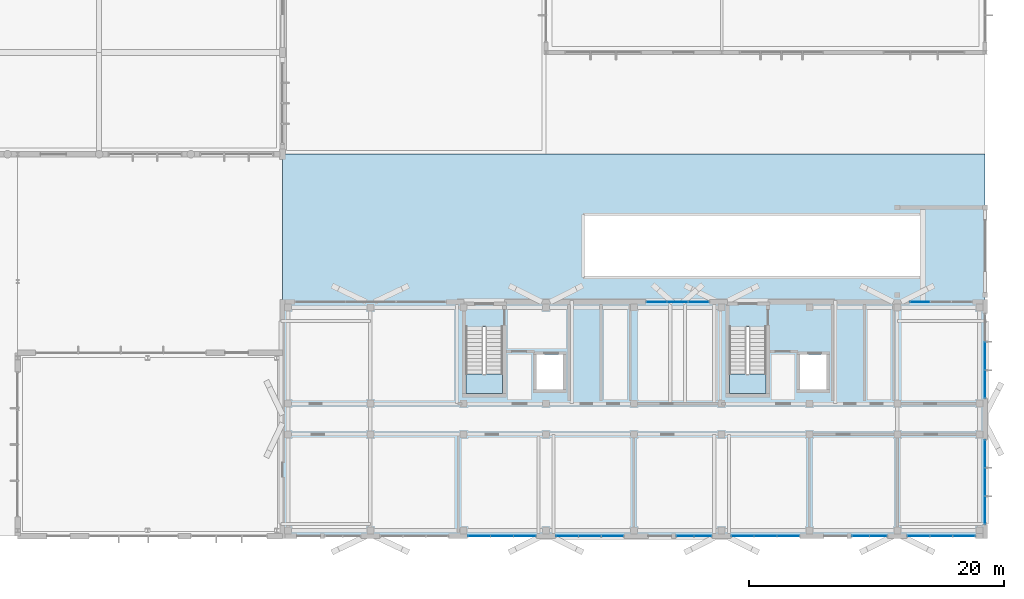
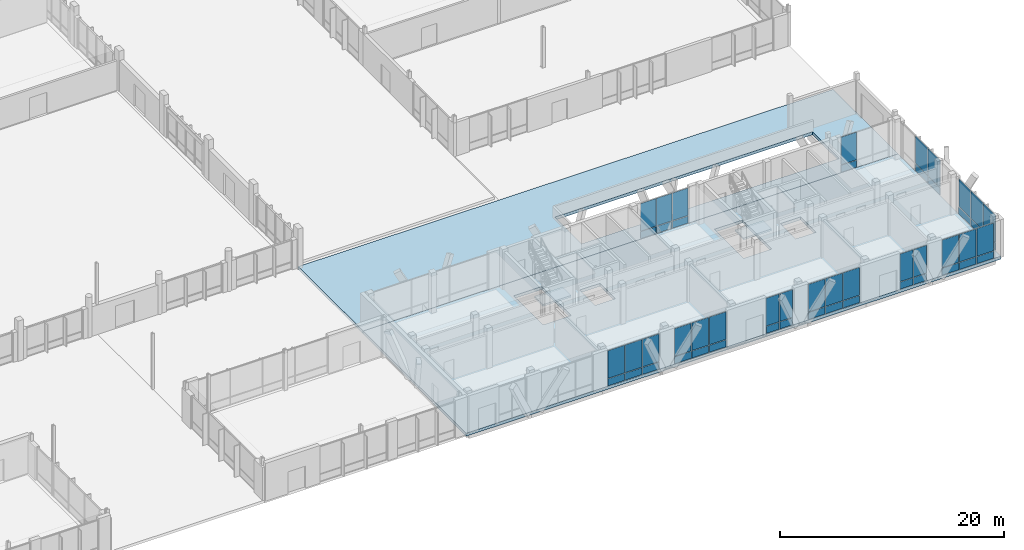
# One storey, part 186 of 233: 50 plates, 4 slabs, 12 elements without a shape of their own.
"""IFC4 building model written with IfcOpenShell, lengths in metres."""

from ifc_helpers import new_model, si_unit, direction, frame, origin, origin_2d, place, context, subcontext, project, spatial, polyline, rectangle, outline, extrude, material, layer, layer_set, type_object, element, aggregate, save


model = new_model("IFC4")

# Units and contexts
model_context = context("Model", 3, precision=1e-05, world=origin(), true_north=direction((0.0, 1.0)))
body_context = subcontext(model_context, "Body", "Model", "MODEL_VIEW")
ifc_project = project(units=[si_unit("LENGTHUNIT", "METRE"), si_unit("AREAUNIT", "SQUARE_METRE"), si_unit("VOLUMEUNIT", "CUBIC_METRE"), si_unit("PLANEANGLEUNIT", "RADIAN"), si_unit("MASSUNIT", "GRAM", prefix="KILO")], contexts=[model_context])

# Site, building, storey
site_placement = place(None, origin())
site = spatial("IfcSite", under=ifc_project, at=site_placement, CompositionType="ELEMENT")
building_placement = place(site_placement, origin())
building = spatial("IfcBuilding", under=site, at=building_placement, Name="Zavelmont Quarter", CompositionType="ELEMENT")
storey_placement = place(building_placement, origin())
storey = spatial("IfcBuildingStorey", under=building, at=storey_placement, Name="L00", CompositionType="ELEMENT", Elevation=0.0)

# Curtain wall, plates
ifc_material_1 = material(Name="Thermally broken aluminium and double low-E safety glazing", Category="aluminium")
curtain_wall_type_1 = type_object("IfcCurtainWallType", Name="CW-285X395", PredefinedType="NOTDEFINED", material=ifc_material_1)
curtain_wall_1_placement = place(storey_placement, origin())
curtain_wall_1 = element("IfcCurtainWall", 1, at=curtain_wall_1_placement, inside=storey, type_object=curtain_wall_type_1, Name="L00 unitised curtain wall CW-285X395", PredefinedType="NOTDEFINED")
ifc_material_2 = material(Name="Insulated anodised-aluminium spandrel panel", Category="aluminium")
ifc_layer_1 = layer(ifc_material_2, 0.0400390625)
ifc_layer_set_1 = layer_set([ifc_layer_1], Name="Insulated anodised-aluminium spandrel panel")
plate_type_1 = type_object("IfcPlateType", Name="CWP-SPD-1335X760", PredefinedType="CURTAIN_PANEL", material=ifc_layer_set_1)
plate_1_placement = place(storey_placement, frame((144.427490234375, 0.0, 0.06005859375), z_axis=(0.0, 0.0, 1.0), x_axis=(1.0, 0.0, 0.0)))
plate_1 = element("IfcPlate", 2, at=plate_1_placement, type_object=plate_type_1, Name="CW-285X395 panel 1.1", PredefinedType="CURTAIN_PANEL", context=body_context, shape_type="SweptSolid", body=[
    extrude(rectangle(XDim=1.3349609375, YDim=0.0400390625, at=origin_2d()), origin(), (0.0, 0.0, 1.0), 0.760009765625),
])
plate_2_placement = place(storey_placement, frame((145.822509765625, 0.0, 0.06005859375), z_axis=(0.0, 0.0, 1.0), x_axis=(1.0, 0.0, 0.0)))
plate_2 = element("IfcPlate", 3, at=plate_2_placement, type_object=plate_type_1, Name="CW-285X395 panel 2.1", PredefinedType="CURTAIN_PANEL", context=body_context, shape_type="SweptSolid", body=[
    extrude(rectangle(XDim=1.3349609375, YDim=0.0400390625, at=origin_2d()), origin(), (0.0, 0.0, 1.0), 0.760009765625),
])

curtain_wall_2_placement = place(storey_placement, origin())
curtain_wall_2 = element("IfcCurtainWall", 4, at=curtain_wall_2_placement, inside=storey, type_object=curtain_wall_type_1, Name="L00 unitised curtain wall CW-285X395", PredefinedType="NOTDEFINED")
plate_3_placement = place(storey_placement, frame((158.2275390625, 0.0, 0.06005859375), z_axis=(0.0, 0.0, 1.0), x_axis=(1.0, 0.0, 0.0)))
plate_3 = element("IfcPlate", 5, at=plate_3_placement, type_object=plate_type_1, Name="CW-285X395 panel 1.1", PredefinedType="CURTAIN_PANEL", context=body_context, shape_type="SweptSolid", body=[
    extrude(rectangle(XDim=1.3349609375, YDim=0.0400390625, at=origin_2d()), origin(), (0.0, 0.0, 1.0), 0.760009765625),
])
plate_4_placement = place(storey_placement, frame((159.62255859375, 0.0, 0.06005859375), z_axis=(0.0, 0.0, 1.0), x_axis=(1.0, 0.0, 0.0)))
plate_4 = element("IfcPlate", 6, at=plate_4_placement, type_object=plate_type_1, Name="CW-285X395 panel 2.1", PredefinedType="CURTAIN_PANEL", context=body_context, shape_type="SweptSolid", body=[
    extrude(rectangle(XDim=1.3349609375, YDim=0.0400390625, at=origin_2d()), origin(), (0.0, 0.0, 1.0), 0.760009765625),
])

# Curtain wall, plate
curtain_wall_type_2 = type_object("IfcCurtainWallType", Name="CW-495X395", PredefinedType="NOTDEFINED", material=ifc_material_1)
curtain_wall_3_placement = place(storey_placement, origin())
curtain_wall_3 = element("IfcCurtainWall", 7, at=curtain_wall_3_placement, inside=storey, type_object=curtain_wall_type_2, Name="L00 unitised curtain wall CW-495X395", PredefinedType="NOTDEFINED")
ifc_layer_2 = layer(ifc_material_2, 0.0400390625)
ifc_layer_set_2 = layer_set([ifc_layer_2], Name="Insulated anodised-aluminium spandrel panel")
plate_type_2 = type_object("IfcPlateType", Name="CWP-SPD-1560X760", PredefinedType="CURTAIN_PANEL", material=ifc_layer_set_2)
plate_5_placement = place(storey_placement, frame((162.889892578125, 18.39990234375, 0.06005859375), z_axis=(0.0, 0.0, 1.0), x_axis=(1.0, 0.0, 0.0)))
plate_5 = element("IfcPlate", 8, at=plate_5_placement, type_object=plate_type_2, Name="CW-495X395 panel 1.1", PredefinedType="CURTAIN_PANEL", context=body_context, shape_type="SweptSolid", body=[
    extrude(rectangle(XDim=1.56005859375, YDim=0.0400390625, at=origin_2d()), origin(), (0.0, 0.0, 1.0), 0.760009765625),
])

# Curtain wall, plates
curtain_wall_type_3 = type_object("IfcCurtainWallType", Name="CW-500X395", PredefinedType="NOTDEFINED", material=ifc_material_1)
curtain_wall_4_placement = place(storey_placement, origin())
curtain_wall_4 = element("IfcCurtainWall", 9, at=curtain_wall_4_placement, inside=storey, type_object=curtain_wall_type_3, Name="L00 unitised curtain wall CW-500X395", PredefinedType="NOTDEFINED")
ifc_layer_3 = layer(ifc_material_2, 0.0400390625)
ifc_layer_set_3 = layer_set([ifc_layer_3], Name="Insulated anodised-aluminium spandrel panel")
plate_type_3 = type_object("IfcPlateType", Name="CWP-SPD-1575X760", PredefinedType="CURTAIN_PANEL", material=ifc_layer_set_3)
plate_6_placement = place(storey_placement, frame((142.1982421875, 18.39990234375, 0.06005859375), z_axis=(0.0, 0.0, 1.0), x_axis=(1.0, 0.0, 0.0)))
plate_6 = element("IfcPlate", 10, at=plate_6_placement, type_object=plate_type_3, Name="CW-500X395 panel 1.1", PredefinedType="CURTAIN_PANEL", context=body_context, shape_type="SweptSolid", body=[
    extrude(rectangle(XDim=1.57666015625, YDim=0.0400390625, at=origin_2d()), origin(), (0.0, 0.0, 1.0), 0.760009765625),
])
plate_7_placement = place(storey_placement, frame((145.501708984375, 18.39990234375, 0.06005859375), z_axis=(0.0, 0.0, 1.0), x_axis=(1.0, 0.0, 0.0)))
plate_7 = element("IfcPlate", 11, at=plate_7_placement, type_object=plate_type_3, Name="CW-500X395 panel 3.1", PredefinedType="CURTAIN_PANEL", context=body_context, shape_type="SweptSolid", body=[
    extrude(rectangle(XDim=1.57666015625, YDim=0.0400390625, at=origin_2d()), origin(), (0.0, 0.0, 1.0), 0.760009765625),
])
ifc_layer_4 = layer(ifc_material_2, 0.0400390625)
ifc_layer_set_4 = layer_set([ifc_layer_4], Name="Insulated anodised-aluminium spandrel panel")
plate_type_4 = type_object("IfcPlateType", Name="CWP-SPD-1605X760", PredefinedType="CURTAIN_PANEL", material=ifc_layer_set_4)
plate_8_placement = place(storey_placement, frame((143.85009765625, 18.39990234375, 0.06005859375), z_axis=(0.0, 0.0, 1.0), x_axis=(1.0, 0.0, 0.0)))
plate_8 = element("IfcPlate", 12, at=plate_8_placement, type_object=plate_type_4, Name="CW-500X395 panel 2.1", PredefinedType="CURTAIN_PANEL", context=body_context, shape_type="SweptSolid", body=[
    extrude(rectangle(XDim=1.606689453125, YDim=0.0400390625, at=origin_2d()), origin(), (0.0, 0.0, 1.0), 0.760009765625),
])

curtain_wall_type_4 = type_object("IfcCurtainWallType", Name="CW-540X395", PredefinedType="NOTDEFINED", material=ifc_material_1)
curtain_wall_5_placement = place(storey_placement, origin())
curtain_wall_5 = element("IfcCurtainWall", 13, at=curtain_wall_5_placement, inside=storey, type_object=curtain_wall_type_4, Name="L00 unitised curtain wall CW-540X395", PredefinedType="NOTDEFINED")
ifc_layer_5 = layer(ifc_material_2, 0.0400390625)
ifc_layer_set_5 = layer_set([ifc_layer_5], Name="Insulated anodised-aluminium spandrel panel")
plate_type_5 = type_object("IfcPlateType", Name="CWP-SPD-1710X760", PredefinedType="CURTAIN_PANEL", material=ifc_layer_set_5)
plate_9_placement = place(storey_placement, frame((128.264892578125, 0.0, 0.06005859375), z_axis=(0.0, 0.0, 1.0), x_axis=(1.0, 0.0, 0.0)))
plate_9 = element("IfcPlate", 14, at=plate_9_placement, type_object=plate_type_5, Name="CW-540X395 panel 1.1", PredefinedType="CURTAIN_PANEL", context=body_context, shape_type="SweptSolid", body=[
    extrude(rectangle(XDim=1.7099609375, YDim=0.0400390625, at=origin_2d()), origin(), (0.0, 0.0, 1.0), 0.760009765625),
])
plate_10_placement = place(storey_placement, frame((131.8349609375, 0.0, 0.06005859375), z_axis=(0.0, 0.0, 1.0), x_axis=(1.0, 0.0, 0.0)))
plate_10 = element("IfcPlate", 15, at=plate_10_placement, type_object=plate_type_5, Name="CW-540X395 panel 3.1", PredefinedType="CURTAIN_PANEL", context=body_context, shape_type="SweptSolid", body=[
    extrude(rectangle(XDim=1.7099609375, YDim=0.0400390625, at=origin_2d()), origin(), (0.0, 0.0, 1.0), 0.760009765625),
])

curtain_wall_6_placement = place(storey_placement, origin())
curtain_wall_6 = element("IfcCurtainWall", 16, at=curtain_wall_6_placement, inside=storey, type_object=curtain_wall_type_4, Name="L00 unitised curtain wall CW-540X395", PredefinedType="NOTDEFINED")
plate_11_placement = place(storey_placement, frame((135.1650390625, 0.0, 0.06005859375), z_axis=(0.0, 0.0, 1.0), x_axis=(1.0, 0.0, 0.0)))
plate_11 = element("IfcPlate", 17, at=plate_11_placement, type_object=plate_type_5, Name="CW-540X395 panel 1.1", PredefinedType="CURTAIN_PANEL", context=body_context, shape_type="SweptSolid", body=[
    extrude(rectangle(XDim=1.7099609375, YDim=0.0400390625, at=origin_2d()), origin(), (0.0, 0.0, 1.0), 0.760009765625),
])
plate_12_placement = place(storey_placement, frame((138.735107421875, 0.0, 0.06005859375), z_axis=(0.0, 0.0, 1.0), x_axis=(1.0, 0.0, 0.0)))
plate_12 = element("IfcPlate", 18, at=plate_12_placement, type_object=plate_type_5, Name="CW-540X395 panel 3.1", PredefinedType="CURTAIN_PANEL", context=body_context, shape_type="SweptSolid", body=[
    extrude(rectangle(XDim=1.7099609375, YDim=0.0400390625, at=origin_2d()), origin(), (0.0, 0.0, 1.0), 0.760009765625),
])

curtain_wall_7_placement = place(storey_placement, origin())
curtain_wall_7 = element("IfcCurtainWall", 19, at=curtain_wall_7_placement, inside=storey, type_object=curtain_wall_type_4, Name="L00 unitised curtain wall CW-540X395", PredefinedType="NOTDEFINED")
plate_13_placement = place(storey_placement, frame((148.965087890625, 0.0, 0.06005859375), z_axis=(0.0, 0.0, 1.0), x_axis=(1.0, 0.0, 0.0)))
plate_13 = element("IfcPlate", 20, at=plate_13_placement, type_object=plate_type_5, Name="CW-540X395 panel 1.1", PredefinedType="CURTAIN_PANEL", context=body_context, shape_type="SweptSolid", body=[
    extrude(rectangle(XDim=1.7099609375, YDim=0.0400390625, at=origin_2d()), origin(), (0.0, 0.0, 1.0), 0.760009765625),
])
plate_14_placement = place(storey_placement, frame((152.534912109375, 0.0, 0.06005859375), z_axis=(0.0, 0.0, 1.0), x_axis=(1.0, 0.0, 0.0)))
plate_14 = element("IfcPlate", 21, at=plate_14_placement, type_object=plate_type_5, Name="CW-540X395 panel 3.1", PredefinedType="CURTAIN_PANEL", context=body_context, shape_type="SweptSolid", body=[
    extrude(rectangle(XDim=1.7099609375, YDim=0.0400390625, at=origin_2d()), origin(), (0.0, 0.0, 1.0), 0.760009765625),
])

curtain_wall_8_placement = place(storey_placement, origin())
curtain_wall_8 = element("IfcCurtainWall", 22, at=curtain_wall_8_placement, inside=storey, type_object=curtain_wall_type_4, Name="L00 unitised curtain wall CW-540X395", PredefinedType="NOTDEFINED")
plate_15_placement = place(storey_placement, frame((162.764892578125, 0.0, 0.06005859375), z_axis=(0.0, 0.0, 1.0), x_axis=(1.0, 0.0, 0.0)))
plate_15 = element("IfcPlate", 23, at=plate_15_placement, type_object=plate_type_5, Name="CW-540X395 panel 1.1", PredefinedType="CURTAIN_PANEL", context=body_context, shape_type="SweptSolid", body=[
    extrude(rectangle(XDim=1.7099609375, YDim=0.0400390625, at=origin_2d()), origin(), (0.0, 0.0, 1.0), 0.760009765625),
])
plate_16_placement = place(storey_placement, frame((166.3349609375, 0.0, 0.06005859375), z_axis=(0.0, 0.0, 1.0), x_axis=(1.0, 0.0, 0.0)))
plate_16 = element("IfcPlate", 24, at=plate_16_placement, type_object=plate_type_5, Name="CW-540X395 panel 3.1", PredefinedType="CURTAIN_PANEL", context=body_context, shape_type="SweptSolid", body=[
    extrude(rectangle(XDim=1.7099609375, YDim=0.0400390625, at=origin_2d()), origin(), (0.0, 0.0, 1.0), 0.760009765625),
])

# Plate
ifc_layer_6 = layer(ifc_material_2, 0.0400390625)
ifc_layer_set_6 = layer_set([ifc_layer_6], Name="Insulated anodised-aluminium spandrel panel")
plate_type_6 = type_object("IfcPlateType", Name="CWP-SPD-1740X760", PredefinedType="CURTAIN_PANEL", material=ifc_layer_set_6)
plate_17_placement = place(storey_placement, frame((130.050048828125, 0.0, 0.06005859375), z_axis=(0.0, 0.0, 1.0), x_axis=(1.0, 0.0, 0.0)))
plate_17 = element("IfcPlate", 25, at=plate_17_placement, type_object=plate_type_6, Name="CW-540X395 panel 2.1", PredefinedType="CURTAIN_PANEL", context=body_context, shape_type="SweptSolid", body=[
    extrude(rectangle(XDim=1.739990234375, YDim=0.0400390625, at=origin_2d()), origin(), (0.0, 0.0, 1.0), 0.760009765625),
])

plate_18_placement = place(storey_placement, frame((136.949951171875, 0.0, 0.06005859375), z_axis=(0.0, 0.0, 1.0), x_axis=(1.0, 0.0, 0.0)))
plate_18 = element("IfcPlate", 26, at=plate_18_placement, type_object=plate_type_6, Name="CW-540X395 panel 2.1", PredefinedType="CURTAIN_PANEL", context=body_context, shape_type="SweptSolid", body=[
    extrude(rectangle(XDim=1.739990234375, YDim=0.0400390625, at=origin_2d()), origin(), (0.0, 0.0, 1.0), 0.760009765625),
])

plate_19_placement = place(storey_placement, frame((150.75, 0.0, 0.06005859375), z_axis=(0.0, 0.0, 1.0), x_axis=(1.0, 0.0, 0.0)))
plate_19 = element("IfcPlate", 27, at=plate_19_placement, type_object=plate_type_6, Name="CW-540X395 panel 2.1", PredefinedType="CURTAIN_PANEL", context=body_context, shape_type="SweptSolid", body=[
    extrude(rectangle(XDim=1.739990234375, YDim=0.0400390625, at=origin_2d()), origin(), (0.0, 0.0, 1.0), 0.760009765625),
])

plate_20_placement = place(storey_placement, frame((164.550048828125, 0.0, 0.06005859375), z_axis=(0.0, 0.0, 1.0), x_axis=(1.0, 0.0, 0.0)))
plate_20 = element("IfcPlate", 28, at=plate_20_placement, type_object=plate_type_6, Name="CW-540X395 panel 2.1", PredefinedType="CURTAIN_PANEL", context=body_context, shape_type="SweptSolid", body=[
    extrude(rectangle(XDim=1.739990234375, YDim=0.0400390625, at=origin_2d()), origin(), (0.0, 0.0, 1.0), 0.760009765625),
])

# Curtain wall, plates
curtain_wall_type_5 = type_object("IfcCurtainWallType", Name="CW-670X395", PredefinedType="NOTDEFINED", material=ifc_material_1)
curtain_wall_9_placement = place(storey_placement, origin())
curtain_wall_9 = element("IfcCurtainWall", 29, at=curtain_wall_9_placement, inside=storey, type_object=curtain_wall_type_5, Name="L00 unitised curtain wall CW-670X395", PredefinedType="NOTDEFINED")
ifc_layer_7 = layer(ifc_material_2, 0.0400390625)
ifc_layer_set_7 = layer_set([ifc_layer_7], Name="Insulated anodised-aluminium spandrel panel")
plate_type_7 = type_object("IfcPlateType", Name="CWP-SPD-2145X760", PredefinedType="CURTAIN_PANEL", material=ifc_layer_set_7)
plate_21_placement = place(storey_placement, frame((168.0, 2.03173828125, 0.06005859375), z_axis=(0.0, 0.0, 1.0), x_axis=(0.0, 1.0, 0.0)))
plate_21 = element("IfcPlate", 30, at=plate_21_placement, type_object=plate_type_7, Name="CW-670X395 panel 1.1", PredefinedType="CURTAIN_PANEL", context=body_context, shape_type="SweptSolid", body=[
    extrude(rectangle(XDim=2.143310546875, YDim=0.0400390625, at=origin_2d()), origin(), (0.0, 0.0, 1.0), 0.760009765625),
])
plate_22_placement = place(storey_placement, frame((168.0, 6.46826171875, 0.06005859375), z_axis=(0.0, 0.0, 1.0), x_axis=(0.0, 1.0, 0.0)))
plate_22 = element("IfcPlate", 31, at=plate_22_placement, type_object=plate_type_7, Name="CW-670X395 panel 3.1", PredefinedType="CURTAIN_PANEL", context=body_context, shape_type="SweptSolid", body=[
    extrude(rectangle(XDim=2.143310546875, YDim=0.0400390625, at=origin_2d()), origin(), (0.0, 0.0, 1.0), 0.760009765625),
])

# Curtain wall, plate
curtain_wall_10_placement = place(storey_placement, origin())
curtain_wall_10 = element("IfcCurtainWall", 32, at=curtain_wall_10_placement, inside=storey, type_object=curtain_wall_type_5, Name="L00 unitised curtain wall CW-670X395", PredefinedType="NOTDEFINED")
plate_23_placement = place(storey_placement, frame((168.0, 11.931640625, 0.06005859375), z_axis=(0.0, 0.0, 1.0), x_axis=(0.0, 1.0, 0.0)))
plate_23 = element("IfcPlate", 33, at=plate_23_placement, type_object=plate_type_7, Name="CW-670X395 panel 1.1", PredefinedType="CURTAIN_PANEL", context=body_context, shape_type="SweptSolid", body=[
    extrude(rectangle(XDim=2.143310546875, YDim=0.0400390625, at=origin_2d()), origin(), (0.0, 0.0, 1.0), 0.760009765625),
])

# Plate
ifc_layer_8 = layer(ifc_material_2, 0.0400390625)
ifc_layer_set_8 = layer_set([ifc_layer_8], Name="Insulated anodised-aluminium spandrel panel")
plate_type_8 = type_object("IfcPlateType", Name="CWP-SPD-2175X760", PredefinedType="CURTAIN_PANEL", material=ifc_layer_set_8)
plate_24_placement = place(storey_placement, frame((168.0, 4.25, 0.06005859375), z_axis=(0.0, 0.0, 1.0), x_axis=(0.0, 1.0, 0.0)))
plate_24 = element("IfcPlate", 34, at=plate_24_placement, type_object=plate_type_8, Name="CW-670X395 panel 2.1", PredefinedType="CURTAIN_PANEL", context=body_context, shape_type="SweptSolid", body=[
    extrude(rectangle(XDim=2.17333984375, YDim=0.0400390625, at=origin_2d()), origin(), (0.0, 0.0, 1.0), 0.760009765625),
])

plate_25_placement = place(storey_placement, frame((168.0, 14.14990234375, 0.06005859375), z_axis=(0.0, 0.0, 1.0), x_axis=(0.0, 1.0, 0.0)))
plate_25 = element("IfcPlate", 35, at=plate_25_placement, type_object=plate_type_8, Name="CW-670X395 panel 2.1", PredefinedType="CURTAIN_PANEL", context=body_context, shape_type="SweptSolid", body=[
    extrude(rectangle(XDim=2.17333984375, YDim=0.0400390625, at=origin_2d()), origin(), (0.0, 0.0, 1.0), 0.760009765625),
])

ifc_material_3 = material(Name="Double low-E insulated vision glass", Category="glass")
ifc_layer_9 = layer(ifc_material_3, 0.028076171875)
ifc_layer_set_9 = layer_set([ifc_layer_9], Name="Double low-E insulated vision glass")
plate_type_9 = type_object("IfcPlateType", Name="CWP-VIS-1335X3010", PredefinedType="CURTAIN_PANEL", material=ifc_layer_set_9)
plate_26_placement = place(storey_placement, frame((144.427490234375, 0.0, 0.8798828125), z_axis=(0.0, 0.0, 1.0), x_axis=(1.0, 0.0, 0.0)))
plate_26 = element("IfcPlate", 36, at=plate_26_placement, type_object=plate_type_9, Name="CW-285X395 panel 1.2", PredefinedType="CURTAIN_PANEL", context=body_context, shape_type="SweptSolid", body=[
    extrude(rectangle(XDim=1.3349609375, YDim=0.028076171875, at=origin_2d()), origin(), (0.0, 0.0, 1.0), 3.010009765625),
])

plate_27_placement = place(storey_placement, frame((145.822509765625, 0.0, 0.8798828125), z_axis=(0.0, 0.0, 1.0), x_axis=(1.0, 0.0, 0.0)))
plate_27 = element("IfcPlate", 37, at=plate_27_placement, type_object=plate_type_9, Name="CW-285X395 panel 2.2", PredefinedType="CURTAIN_PANEL", context=body_context, shape_type="SweptSolid", body=[
    extrude(rectangle(XDim=1.3349609375, YDim=0.028076171875, at=origin_2d()), origin(), (0.0, 0.0, 1.0), 3.010009765625),
])

aggregate(curtain_wall_1, [plate_1, plate_26, plate_2, plate_27])

plate_28_placement = place(storey_placement, frame((158.2275390625, 0.0, 0.8798828125), z_axis=(0.0, 0.0, 1.0), x_axis=(1.0, 0.0, 0.0)))
plate_28 = element("IfcPlate", 38, at=plate_28_placement, type_object=plate_type_9, Name="CW-285X395 panel 1.2", PredefinedType="CURTAIN_PANEL", context=body_context, shape_type="SweptSolid", body=[
    extrude(rectangle(XDim=1.3349609375, YDim=0.028076171875, at=origin_2d()), origin(), (0.0, 0.0, 1.0), 3.010009765625),
])

plate_29_placement = place(storey_placement, frame((159.62255859375, 0.0, 0.8798828125), z_axis=(0.0, 0.0, 1.0), x_axis=(1.0, 0.0, 0.0)))
plate_29 = element("IfcPlate", 39, at=plate_29_placement, type_object=plate_type_9, Name="CW-285X395 panel 2.2", PredefinedType="CURTAIN_PANEL", context=body_context, shape_type="SweptSolid", body=[
    extrude(rectangle(XDim=1.3349609375, YDim=0.028076171875, at=origin_2d()), origin(), (0.0, 0.0, 1.0), 3.010009765625),
])

aggregate(curtain_wall_2, [plate_3, plate_28, plate_4, plate_29])

ifc_layer_10 = layer(ifc_material_3, 0.028076171875)
ifc_layer_set_10 = layer_set([ifc_layer_10], Name="Double low-E insulated vision glass")
plate_type_10 = type_object("IfcPlateType", Name="CWP-VIS-1560X3010", PredefinedType="CURTAIN_PANEL", material=ifc_layer_set_10)
plate_30_placement = place(storey_placement, frame((162.889892578125, 18.39990234375, 0.8798828125), z_axis=(0.0, 0.0, 1.0), x_axis=(1.0, 0.0, 0.0)))
plate_30 = element("IfcPlate", 40, at=plate_30_placement, type_object=plate_type_10, Name="CW-495X395 panel 1.2", PredefinedType="CURTAIN_PANEL", context=body_context, shape_type="SweptSolid", body=[
    extrude(rectangle(XDim=1.56005859375, YDim=0.028076171875, at=origin_2d()), origin(), (0.0, 0.0, 1.0), 3.010009765625),
])

aggregate(curtain_wall_3, [plate_5, plate_30])

ifc_layer_11 = layer(ifc_material_3, 0.028076171875)
ifc_layer_set_11 = layer_set([ifc_layer_11], Name="Double low-E insulated vision glass")
plate_type_11 = type_object("IfcPlateType", Name="CWP-VIS-1575X3010", PredefinedType="CURTAIN_PANEL", material=ifc_layer_set_11)
plate_31_placement = place(storey_placement, frame((142.1982421875, 18.39990234375, 0.8798828125), z_axis=(0.0, 0.0, 1.0), x_axis=(1.0, 0.0, 0.0)))
plate_31 = element("IfcPlate", 41, at=plate_31_placement, type_object=plate_type_11, Name="CW-500X395 panel 1.2", PredefinedType="CURTAIN_PANEL", context=body_context, shape_type="SweptSolid", body=[
    extrude(rectangle(XDim=1.57666015625, YDim=0.028076171875, at=origin_2d()), origin(), (0.0, 0.0, 1.0), 3.010009765625),
])

plate_32_placement = place(storey_placement, frame((145.501708984375, 18.39990234375, 0.8798828125), z_axis=(0.0, 0.0, 1.0), x_axis=(1.0, 0.0, 0.0)))
plate_32 = element("IfcPlate", 42, at=plate_32_placement, type_object=plate_type_11, Name="CW-500X395 panel 3.2", PredefinedType="CURTAIN_PANEL", context=body_context, shape_type="SweptSolid", body=[
    extrude(rectangle(XDim=1.57666015625, YDim=0.028076171875, at=origin_2d()), origin(), (0.0, 0.0, 1.0), 3.010009765625),
])

ifc_layer_12 = layer(ifc_material_3, 0.028076171875)
ifc_layer_set_12 = layer_set([ifc_layer_12], Name="Double low-E insulated vision glass")
plate_type_12 = type_object("IfcPlateType", Name="CWP-VIS-1605X3010", PredefinedType="CURTAIN_PANEL", material=ifc_layer_set_12)
plate_33_placement = place(storey_placement, frame((143.85009765625, 18.39990234375, 0.8798828125), z_axis=(0.0, 0.0, 1.0), x_axis=(1.0, 0.0, 0.0)))
plate_33 = element("IfcPlate", 43, at=plate_33_placement, type_object=plate_type_12, Name="CW-500X395 panel 2.2", PredefinedType="CURTAIN_PANEL", context=body_context, shape_type="SweptSolid", body=[
    extrude(rectangle(XDim=1.606689453125, YDim=0.028076171875, at=origin_2d()), origin(), (0.0, 0.0, 1.0), 3.010009765625),
])

aggregate(curtain_wall_4, [plate_6, plate_31, plate_8, plate_33, plate_7, plate_32])

ifc_layer_13 = layer(ifc_material_3, 0.028076171875)
ifc_layer_set_13 = layer_set([ifc_layer_13], Name="Double low-E insulated vision glass")
plate_type_13 = type_object("IfcPlateType", Name="CWP-VIS-1710X3010", PredefinedType="CURTAIN_PANEL", material=ifc_layer_set_13)
plate_34_placement = place(storey_placement, frame((128.264892578125, 0.0, 0.8798828125), z_axis=(0.0, 0.0, 1.0), x_axis=(1.0, 0.0, 0.0)))
plate_34 = element("IfcPlate", 44, at=plate_34_placement, type_object=plate_type_13, Name="CW-540X395 panel 1.2", PredefinedType="CURTAIN_PANEL", context=body_context, shape_type="SweptSolid", body=[
    extrude(rectangle(XDim=1.7099609375, YDim=0.028076171875, at=origin_2d()), origin(), (0.0, 0.0, 1.0), 3.010009765625),
])

plate_35_placement = place(storey_placement, frame((131.8349609375, 0.0, 0.8798828125), z_axis=(0.0, 0.0, 1.0), x_axis=(1.0, 0.0, 0.0)))
plate_35 = element("IfcPlate", 45, at=plate_35_placement, type_object=plate_type_13, Name="CW-540X395 panel 3.2", PredefinedType="CURTAIN_PANEL", context=body_context, shape_type="SweptSolid", body=[
    extrude(rectangle(XDim=1.7099609375, YDim=0.028076171875, at=origin_2d()), origin(), (0.0, 0.0, 1.0), 3.010009765625),
])

plate_36_placement = place(storey_placement, frame((135.1650390625, 0.0, 0.8798828125), z_axis=(0.0, 0.0, 1.0), x_axis=(1.0, 0.0, 0.0)))
plate_36 = element("IfcPlate", 46, at=plate_36_placement, type_object=plate_type_13, Name="CW-540X395 panel 1.2", PredefinedType="CURTAIN_PANEL", context=body_context, shape_type="SweptSolid", body=[
    extrude(rectangle(XDim=1.7099609375, YDim=0.028076171875, at=origin_2d()), origin(), (0.0, 0.0, 1.0), 3.010009765625),
])

plate_37_placement = place(storey_placement, frame((138.735107421875, 0.0, 0.8798828125), z_axis=(0.0, 0.0, 1.0), x_axis=(1.0, 0.0, 0.0)))
plate_37 = element("IfcPlate", 47, at=plate_37_placement, type_object=plate_type_13, Name="CW-540X395 panel 3.2", PredefinedType="CURTAIN_PANEL", context=body_context, shape_type="SweptSolid", body=[
    extrude(rectangle(XDim=1.7099609375, YDim=0.028076171875, at=origin_2d()), origin(), (0.0, 0.0, 1.0), 3.010009765625),
])

plate_38_placement = place(storey_placement, frame((148.965087890625, 0.0, 0.8798828125), z_axis=(0.0, 0.0, 1.0), x_axis=(1.0, 0.0, 0.0)))
plate_38 = element("IfcPlate", 48, at=plate_38_placement, type_object=plate_type_13, Name="CW-540X395 panel 1.2", PredefinedType="CURTAIN_PANEL", context=body_context, shape_type="SweptSolid", body=[
    extrude(rectangle(XDim=1.7099609375, YDim=0.028076171875, at=origin_2d()), origin(), (0.0, 0.0, 1.0), 3.010009765625),
])

plate_39_placement = place(storey_placement, frame((152.534912109375, 0.0, 0.8798828125), z_axis=(0.0, 0.0, 1.0), x_axis=(1.0, 0.0, 0.0)))
plate_39 = element("IfcPlate", 49, at=plate_39_placement, type_object=plate_type_13, Name="CW-540X395 panel 3.2", PredefinedType="CURTAIN_PANEL", context=body_context, shape_type="SweptSolid", body=[
    extrude(rectangle(XDim=1.7099609375, YDim=0.028076171875, at=origin_2d()), origin(), (0.0, 0.0, 1.0), 3.010009765625),
])

plate_40_placement = place(storey_placement, frame((162.764892578125, 0.0, 0.8798828125), z_axis=(0.0, 0.0, 1.0), x_axis=(1.0, 0.0, 0.0)))
plate_40 = element("IfcPlate", 50, at=plate_40_placement, type_object=plate_type_13, Name="CW-540X395 panel 1.2", PredefinedType="CURTAIN_PANEL", context=body_context, shape_type="SweptSolid", body=[
    extrude(rectangle(XDim=1.7099609375, YDim=0.028076171875, at=origin_2d()), origin(), (0.0, 0.0, 1.0), 3.010009765625),
])

plate_41_placement = place(storey_placement, frame((166.3349609375, 0.0, 0.8798828125), z_axis=(0.0, 0.0, 1.0), x_axis=(1.0, 0.0, 0.0)))
plate_41 = element("IfcPlate", 51, at=plate_41_placement, type_object=plate_type_13, Name="CW-540X395 panel 3.2", PredefinedType="CURTAIN_PANEL", context=body_context, shape_type="SweptSolid", body=[
    extrude(rectangle(XDim=1.7099609375, YDim=0.028076171875, at=origin_2d()), origin(), (0.0, 0.0, 1.0), 3.010009765625),
])

ifc_layer_14 = layer(ifc_material_3, 0.028076171875)
ifc_layer_set_14 = layer_set([ifc_layer_14], Name="Double low-E insulated vision glass")
plate_type_14 = type_object("IfcPlateType", Name="CWP-VIS-1740X3010", PredefinedType="CURTAIN_PANEL", material=ifc_layer_set_14)
plate_42_placement = place(storey_placement, frame((130.050048828125, 0.0, 0.8798828125), z_axis=(0.0, 0.0, 1.0), x_axis=(1.0, 0.0, 0.0)))
plate_42 = element("IfcPlate", 52, at=plate_42_placement, type_object=plate_type_14, Name="CW-540X395 panel 2.2", PredefinedType="CURTAIN_PANEL", context=body_context, shape_type="SweptSolid", body=[
    extrude(rectangle(XDim=1.739990234375, YDim=0.028076171875, at=origin_2d()), origin(), (0.0, 0.0, 1.0), 3.010009765625),
])

aggregate(curtain_wall_5, [plate_9, plate_34, plate_17, plate_42, plate_10, plate_35])

plate_43_placement = place(storey_placement, frame((136.949951171875, 0.0, 0.8798828125), z_axis=(0.0, 0.0, 1.0), x_axis=(1.0, 0.0, 0.0)))
plate_43 = element("IfcPlate", 53, at=plate_43_placement, type_object=plate_type_14, Name="CW-540X395 panel 2.2", PredefinedType="CURTAIN_PANEL", context=body_context, shape_type="SweptSolid", body=[
    extrude(rectangle(XDim=1.739990234375, YDim=0.028076171875, at=origin_2d()), origin(), (0.0, 0.0, 1.0), 3.010009765625),
])

aggregate(curtain_wall_6, [plate_11, plate_36, plate_18, plate_43, plate_12, plate_37])

plate_44_placement = place(storey_placement, frame((150.75, 0.0, 0.8798828125), z_axis=(0.0, 0.0, 1.0), x_axis=(1.0, 0.0, 0.0)))
plate_44 = element("IfcPlate", 54, at=plate_44_placement, type_object=plate_type_14, Name="CW-540X395 panel 2.2", PredefinedType="CURTAIN_PANEL", context=body_context, shape_type="SweptSolid", body=[
    extrude(rectangle(XDim=1.739990234375, YDim=0.028076171875, at=origin_2d()), origin(), (0.0, 0.0, 1.0), 3.010009765625),
])

aggregate(curtain_wall_7, [plate_13, plate_38, plate_19, plate_44, plate_14, plate_39])

plate_45_placement = place(storey_placement, frame((164.550048828125, 0.0, 0.8798828125), z_axis=(0.0, 0.0, 1.0), x_axis=(1.0, 0.0, 0.0)))
plate_45 = element("IfcPlate", 55, at=plate_45_placement, type_object=plate_type_14, Name="CW-540X395 panel 2.2", PredefinedType="CURTAIN_PANEL", context=body_context, shape_type="SweptSolid", body=[
    extrude(rectangle(XDim=1.739990234375, YDim=0.028076171875, at=origin_2d()), origin(), (0.0, 0.0, 1.0), 3.010009765625),
])

aggregate(curtain_wall_8, [plate_15, plate_40, plate_20, plate_45, plate_16, plate_41])

ifc_layer_15 = layer(ifc_material_3, 0.028076171875)
ifc_layer_set_15 = layer_set([ifc_layer_15], Name="Double low-E insulated vision glass")
plate_type_15 = type_object("IfcPlateType", Name="CWP-VIS-2145X3010", PredefinedType="CURTAIN_PANEL", material=ifc_layer_set_15)
plate_46_placement = place(storey_placement, frame((168.0, 2.03173828125, 0.8798828125), z_axis=(0.0, 0.0, 1.0), x_axis=(0.0, 1.0, 0.0)))
plate_46 = element("IfcPlate", 56, at=plate_46_placement, type_object=plate_type_15, Name="CW-670X395 panel 1.2", PredefinedType="CURTAIN_PANEL", context=body_context, shape_type="SweptSolid", body=[
    extrude(rectangle(XDim=2.143310546875, YDim=0.028076171875, at=origin_2d()), origin(), (0.0, 0.0, 1.0), 3.010009765625),
])

plate_47_placement = place(storey_placement, frame((168.0, 6.46826171875, 0.8798828125), z_axis=(0.0, 0.0, 1.0), x_axis=(0.0, 1.0, 0.0)))
plate_47 = element("IfcPlate", 57, at=plate_47_placement, type_object=plate_type_15, Name="CW-670X395 panel 3.2", PredefinedType="CURTAIN_PANEL", context=body_context, shape_type="SweptSolid", body=[
    extrude(rectangle(XDim=2.143310546875, YDim=0.028076171875, at=origin_2d()), origin(), (0.0, 0.0, 1.0), 3.010009765625),
])

plate_48_placement = place(storey_placement, frame((168.0, 11.931640625, 0.8798828125), z_axis=(0.0, 0.0, 1.0), x_axis=(0.0, 1.0, 0.0)))
plate_48 = element("IfcPlate", 58, at=plate_48_placement, type_object=plate_type_15, Name="CW-670X395 panel 1.2", PredefinedType="CURTAIN_PANEL", context=body_context, shape_type="SweptSolid", body=[
    extrude(rectangle(XDim=2.143310546875, YDim=0.028076171875, at=origin_2d()), origin(), (0.0, 0.0, 1.0), 3.010009765625),
])

ifc_layer_16 = layer(ifc_material_3, 0.028076171875)
ifc_layer_set_16 = layer_set([ifc_layer_16], Name="Double low-E insulated vision glass")
plate_type_16 = type_object("IfcPlateType", Name="CWP-VIS-2175X3010", PredefinedType="CURTAIN_PANEL", material=ifc_layer_set_16)
plate_49_placement = place(storey_placement, frame((168.0, 4.25, 0.8798828125), z_axis=(0.0, 0.0, 1.0), x_axis=(0.0, 1.0, 0.0)))
plate_49 = element("IfcPlate", 59, at=plate_49_placement, type_object=plate_type_16, Name="CW-670X395 panel 2.2", PredefinedType="CURTAIN_PANEL", context=body_context, shape_type="SweptSolid", body=[
    extrude(rectangle(XDim=2.17333984375, YDim=0.028076171875, at=origin_2d()), origin(), (0.0, 0.0, 1.0), 3.010009765625),
])

aggregate(curtain_wall_9, [plate_21, plate_46, plate_24, plate_49, plate_22, plate_47])

plate_50_placement = place(storey_placement, frame((168.0, 14.14990234375, 0.8798828125), z_axis=(0.0, 0.0, 1.0), x_axis=(0.0, 1.0, 0.0)))
plate_50 = element("IfcPlate", 60, at=plate_50_placement, type_object=plate_type_16, Name="CW-670X395 panel 2.2", PredefinedType="CURTAIN_PANEL", context=body_context, shape_type="SweptSolid", body=[
    extrude(rectangle(XDim=2.17333984375, YDim=0.028076171875, at=origin_2d()), origin(), (0.0, 0.0, 1.0), 3.010009765625),
])

aggregate(curtain_wall_10, [plate_23, plate_48, plate_25, plate_50])

# Slabs
ifc_material_4 = material(Name="Concrete C40/50", Category="concrete")
ifc_layer_17 = layer(ifc_material_4, 0.320068359375)
ifc_layer_set_17 = layer_set([ifc_layer_17], Name="Concrete C40/50")
slab_type_1 = type_object("IfcSlabType", Name="SL-FL320", PredefinedType="FLOOR", material=ifc_layer_set_17)
slab_1_placement = place(storey_placement, frame((0.0, 0.0, -0.320068359375)))
element("IfcSlab", 61, at=slab_1_placement, inside=storey, type_object=slab_type_1, Name="L00 Block D floor slab SL-FL320", PredefinedType="FLOOR", context=body_context, shape_type="SweptSolid", body=[
    extrude(outline(polyline([(112.800048828125, 0.0), (168.0, 0.0), (168.0, 18.39990234375), (112.800048828125, 18.39990234375), (112.800048828125, 0.0)]), holes=[polyline([(127.199951171875, 16.425048828125), (127.199951171875, 11.199951171875), (130.10009765625, 11.199951171875), (130.10009765625, 16.425048828125), (127.199951171875, 16.425048828125)]), polyline([(132.75, 11.5), (134.85009765625, 11.5), (134.85009765625, 14.25), (132.75, 14.25), (132.75, 11.5)]), polyline([(147.89990234375, 16.425048828125), (147.89990234375, 11.199951171875), (150.800048828125, 11.199951171875), (150.800048828125, 16.425048828125), (147.89990234375, 16.425048828125)]), polyline([(153.449951171875, 11.5), (155.550048828125, 11.5), (155.550048828125, 14.25), (153.449951171875, 14.25), (153.449951171875, 11.5)])]), origin(), (0.0, 0.0, 1.0), 0.320068359375),
])
slab_2_placement = place(storey_placement, frame((0.0, 0.0, -0.320068359375)))
element("IfcSlab", 62, at=slab_2_placement, inside=storey, type_object=slab_type_1, Name="L00 East access court and ramp portal slab SL-FL320", PredefinedType="FLOOR", context=body_context, shape_type="SweptSolid", body=[
    extrude(outline(polyline([(112.800048828125, 18.39990234375), (168.0, 18.39990234375), (168.0, 30.0), (112.800048828125, 30.0), (112.800048828125, 18.39990234375)]), holes=[polyline([(136.5, 20.39990234375), (163.10009765625, 20.39990234375), (163.10009765625, 25.199951171875), (136.5, 25.199951171875), (136.5, 20.39990234375)])]), origin(), (0.0, 0.0, 1.0), 0.320068359375),
])

# Stair, slab
ifc_material_5 = material(Name="Concrete C35/45", Category="concrete")
stair_type = type_object("IfcStairType", Name="STR-1350-1692", PredefinedType="HALF_TURN_STAIR", material=ifc_material_5)
stair_1_placement = place(storey_placement, origin())
stair_1 = element("IfcStair", 63, at=stair_1_placement, inside=storey, type_object=stair_type, Name="L00 protected stair ST07", PredefinedType="HALF_TURN_STAIR")
ifc_layer_18 = layer(ifc_material_5, 0.199951171875)
ifc_layer_set_18 = layer_set([ifc_layer_18], Name="Concrete C35/45")
slab_type_2 = type_object("IfcSlabType", Name="SL-LND200", PredefinedType="LANDING", material=ifc_layer_set_18)
slab_3_placement = place(storey_placement, frame((0.0, 0.0, 2.0)))
slab_3 = element("IfcSlab", 64, at=slab_3_placement, type_object=slab_type_2, Name="ST07 landing 1", PredefinedType="LANDING", context=body_context, shape_type="SweptSolid", body=[
    extrude(outline(polyline([(127.199951171875, 12.72998046875), (127.199951171875, 11.199951171875), (130.10009765625, 11.199951171875), (130.10009765625, 12.72998046875), (127.199951171875, 12.72998046875)])), origin(), (0.0, 0.0, 1.0), 0.199951171875),
])
aggregate(stair_1, [slab_3])

stair_2_placement = place(storey_placement, origin())
stair_2 = element("IfcStair", 65, at=stair_2_placement, inside=storey, type_object=stair_type, Name="L00 protected stair ST08", PredefinedType="HALF_TURN_STAIR")
slab_4_placement = place(storey_placement, frame((0.0, 0.0, 2.0)))
slab_4 = element("IfcSlab", 66, at=slab_4_placement, type_object=slab_type_2, Name="ST08 landing 1", PredefinedType="LANDING", context=body_context, shape_type="SweptSolid", body=[
    extrude(outline(polyline([(147.89990234375, 12.72998046875), (147.89990234375, 11.199951171875), (150.800048828125, 11.199951171875), (150.800048828125, 12.72998046875), (147.89990234375, 12.72998046875)])), origin(), (0.0, 0.0, 1.0), 0.199951171875),
])
aggregate(stair_2, [slab_4])

save(model, "model.ifc")
